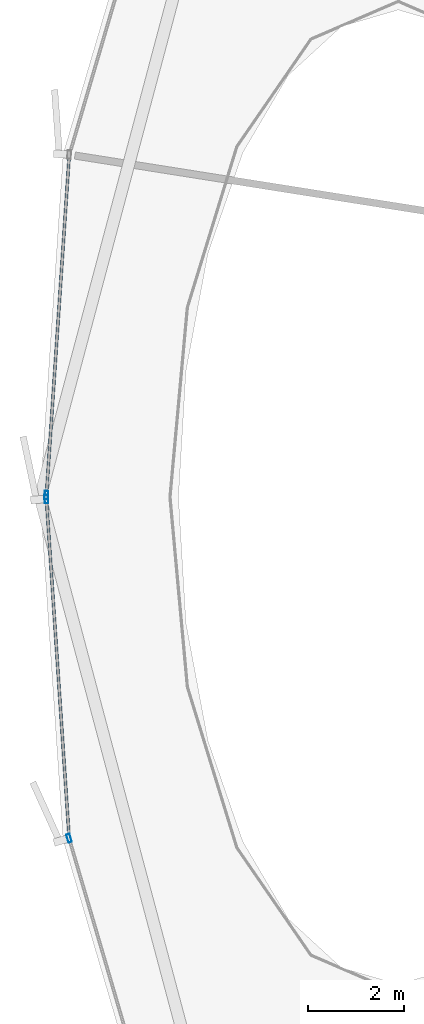
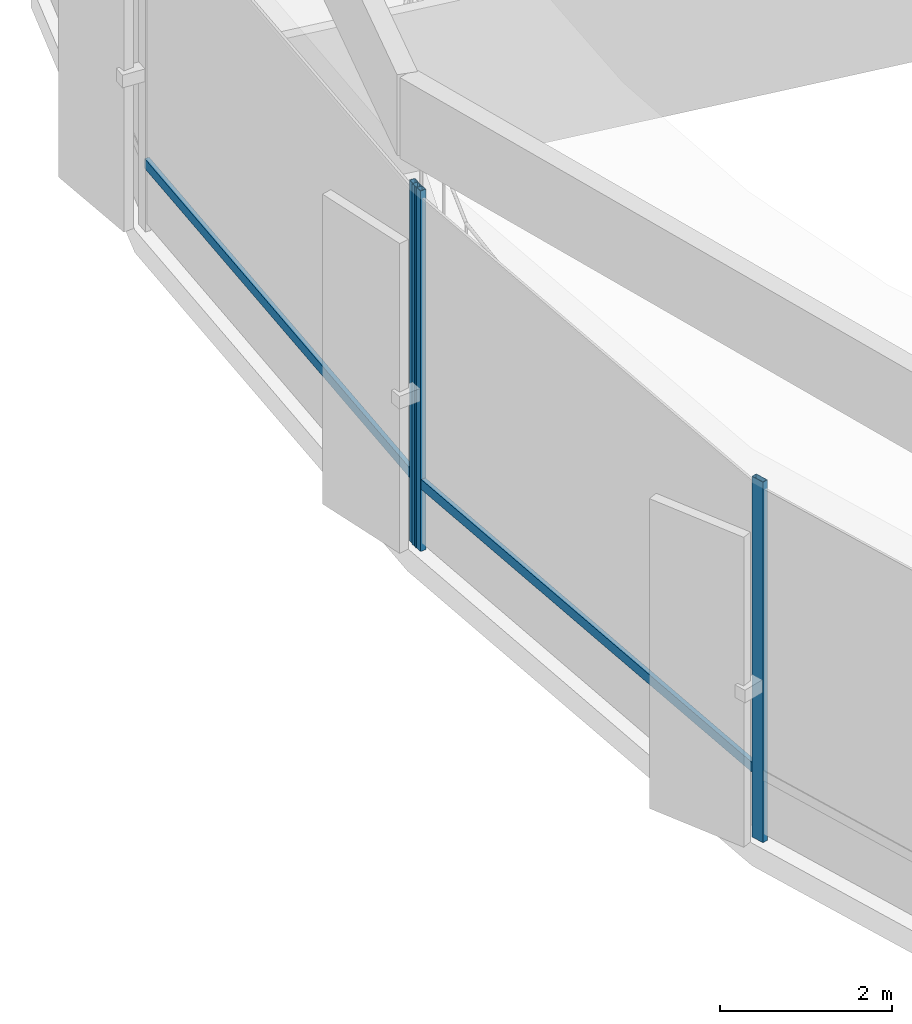
# One storey, part 6 of 36: 5 members, 2 elements without a shape of their own.
"""IFC4 building model written with IfcOpenShell, lengths in metres."""

from ifc_helpers import new_model, si_unit, direction, frame, origin, origin_2d, place, context, subcontext, project, spatial, hollow_rectangle, extrude, source, transform, mapped, material, layer, layer_set, material_profile, profile_set, type_object, element, aggregate, save


model = new_model("IFC4")

# Units and contexts
model_context = context("Model", 3, precision=1e-05, world=origin(), true_north=direction((0.0, 1.0)))
body_context = subcontext(model_context, "Body", "Model", "MODEL_VIEW")
ifc_project = project(units=[si_unit("LENGTHUNIT", "METRE"), si_unit("AREAUNIT", "SQUARE_METRE"), si_unit("VOLUMEUNIT", "CUBIC_METRE"), si_unit("PLANEANGLEUNIT", "RADIAN"), si_unit("MASSUNIT", "GRAM", prefix="KILO"), si_unit("THERMODYNAMICTEMPERATUREUNIT", "KELVIN")], contexts=[model_context])

# Site, building, storey
site_placement = place(None, origin())
site = spatial("IfcSite", under=ifc_project, at=site_placement, CompositionType="ELEMENT")
building_placement = place(site_placement, origin())
building = spatial("IfcBuilding", under=site, at=building_placement, Name="Kethvar Cultural Tower", CompositionType="ELEMENT")
storey_placement = place(building_placement, frame((0.0, 0.0, 24.0)))
storey = spatial("IfcBuildingStorey", under=building, at=storey_placement, Name="L05", CompositionType="ELEMENT", Elevation=24.0)

# Curtain wall, member
ifc_material = material(Name="Aluminium 6063-T6", Category="aluminium")
ifc_layer = layer(ifc_material, 0.179931640625, Name="Aluminium 6063-T6", Category="aluminium")
ifc_layer_set = layer_set([ifc_layer], Name="Aluminium 6063-T6 (180 mm)")
curtain_wall_type = type_object("IfcCurtainWallType", Name="CW-SYS-01-POD", PredefinedType="NOTDEFINED", material=ifc_layer_set)
curtain_wall_1_placement = place(storey_placement, origin())
curtain_wall_1 = element("IfcCurtainWall", 1, at=curtain_wall_1_placement, inside=storey, type_object=curtain_wall_type, Name="L05 Curtain Wall Run 03", PredefinedType="NOTDEFINED")
ifc_material_profile_1 = material_profile(ifc_material, hollow_rectangle(XDim=0.06005859375, YDim=0.139892578125, WallThickness=0.0048828125, at=origin_2d()), Name="Aluminium 6063-T6 — RHS140x60x5")
ifc_profile_set_1 = profile_set([ifc_material_profile_1], Name="Aluminium 6063-T6 — RHS140x60x5")
member_type_1 = type_object("IfcMemberType", Name="CW-SYS-01-POD-TRN", PredefinedType="USERDEFINED", material=ifc_profile_set_1)
shared_shape_1 = source(origin(), body_context, "Body", "SweptSolid", [
    extrude(hollow_rectangle(XDim=0.06005859375, YDim=0.139892578125, WallThickness=0.0048828125, at=origin_2d()), origin(), (0.0, 0.0, 1.0), 7.086669921875),
])
member_1_placement = place(storey_placement, frame((1.408447265625, 34.916015625, 0.949951171875), z_axis=(-0.067040329347, -0.99775026647, 0.0), x_axis=(0.99775026647, -0.067040329347, 0.0)))
member_1 = element("IfcMember", 2, at=member_1_placement, type_object=member_type_1, Name="CW-L05-R03 Transom 6", ObjectType="TRANSOM", PredefinedType="USERDEFINED", context=body_context, shape_type="MappedRepresentation", body=[
    mapped(shared_shape_1, transform((0.0, 0.0, 0.0), scale=1.0)),
])

curtain_wall_2_placement = place(storey_placement, origin())
curtain_wall_2 = element("IfcCurtainWall", 3, at=curtain_wall_2_placement, inside=storey, type_object=curtain_wall_type, Name="L05 Curtain Wall Run 04", PredefinedType="NOTDEFINED")
member_2_placement = place(storey_placement, frame((0.933349609375, 27.7548828125, 0.949951171875), z_axis=(0.067040329347, -0.99775026647, 0.0), x_axis=(0.99775026647, 0.067040329347, 0.0)))
member_2 = element("IfcMember", 4, at=member_2_placement, type_object=member_type_1, Name="CW-L05-R04 Transom 1", ObjectType="TRANSOM", PredefinedType="USERDEFINED", context=body_context, shape_type="MappedRepresentation", body=[
    mapped(shared_shape_1, transform((0.0, 0.0, 0.0), scale=1.0)),
])

# Member
ifc_material_profile_2 = material_profile(ifc_material, hollow_rectangle(XDim=0.074951171875, YDim=0.179931640625, WallThickness=0.006103515625, at=origin_2d()), Name="Aluminium 6063-T6 — RHS180x75x6")
ifc_profile_set_2 = profile_set([ifc_material_profile_2], Name="Aluminium 6063-T6 — RHS180x75x6")
member_type_2 = type_object("IfcMemberType", Name="CW-SYS-01-POD-MUL", PredefinedType="MULLION", material=ifc_profile_set_2)
shared_shape_2 = source(origin(), body_context, "Body", "SweptSolid", [
    extrude(hollow_rectangle(XDim=0.074951171875, YDim=0.179931640625, WallThickness=0.006103515625, at=origin_2d()), origin(), (0.0, 0.0, 1.0), 5.1201171875),
])
member_3_placement = place(storey_placement, frame((0.93310546875, 27.83984375, 0.0), z_axis=(0.0, 0.0, 1.0), x_axis=(0.997750279374, -0.067040137302, 0.0)))
member_3 = element("IfcMember", 5, at=member_3_placement, type_object=member_type_2, Name="CW-L05-R03 Mullion 7", PredefinedType="MULLION", context=body_context, shape_type="MappedRepresentation", body=[
    mapped(shared_shape_2, transform((0.0, 0.0, 0.0), scale=1.0)),
])

aggregate(curtain_wall_1, [member_3, member_1])

member_4_placement = place(storey_placement, frame((0.93310546875, 27.760009765625, 0.0), z_axis=(0.0, 0.0, 1.0), x_axis=(0.997750279374, 0.067040137302, 0.0)))
member_4 = element("IfcMember", 6, at=member_4_placement, type_object=member_type_2, Name="CW-L05-R04 Mullion 1", PredefinedType="MULLION", context=body_context, shape_type="MappedRepresentation", body=[
    mapped(shared_shape_2, transform((0.0, 0.0, 0.0), scale=1.0)),
])

member_5_placement = place(storey_placement, frame((1.406982421875, 20.657958984375, 0.0), z_axis=(0.0, 0.0, 1.0), x_axis=(0.959496102658, 0.28172190008, 0.0)))
member_5 = element("IfcMember", 7, at=member_5_placement, type_object=member_type_2, Name="CW-L05-R04 Mullion 2", PredefinedType="MULLION", context=body_context, shape_type="MappedRepresentation", body=[
    mapped(shared_shape_2, transform((0.0, 0.0, 0.0), scale=1.0)),
])

aggregate(curtain_wall_2, [member_4, member_5, member_2])

save(model, "model.ifc")
